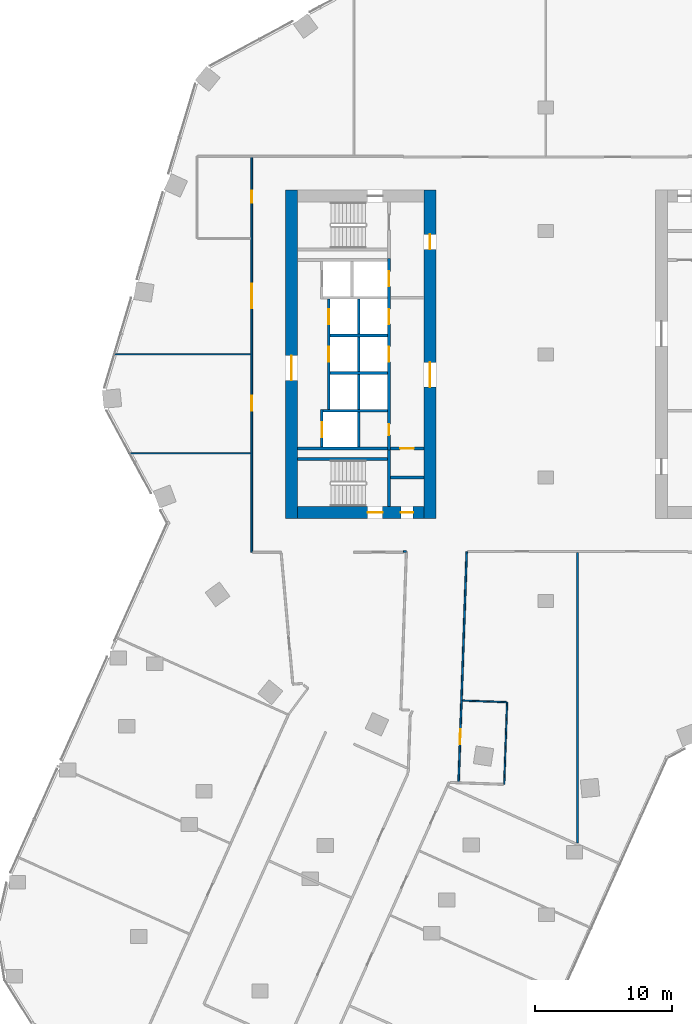
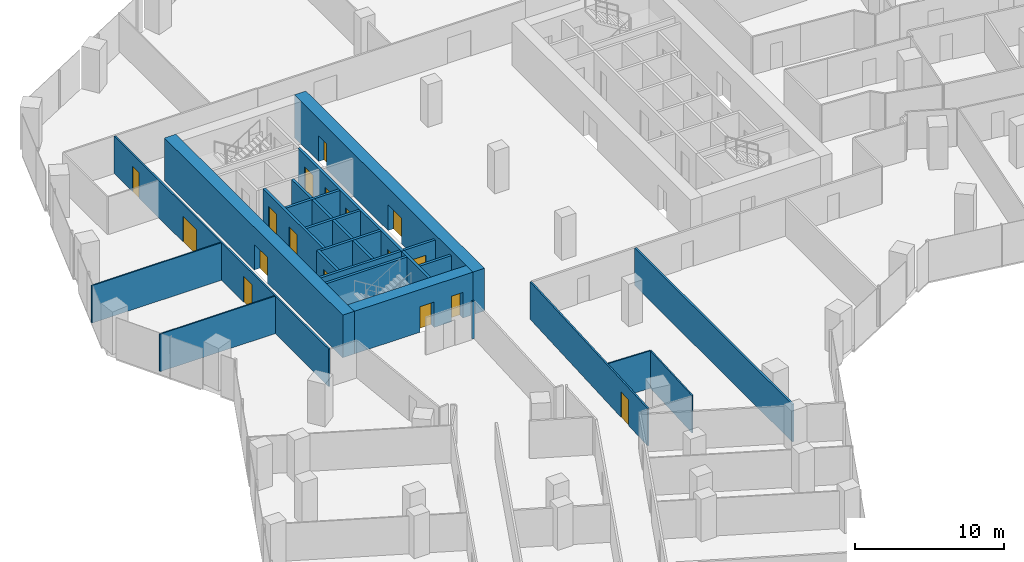
# One storey, part 26 of 34: 26 walls, 17 doors, 17 openings.
"""IFC4 building model written with IfcOpenShell, lengths in metres."""

from ifc_helpers import new_model, si_unit, direction, frame, frame_2d, origin, place, context, subcontext, project, spatial, rectangle, extrude, material, layer, layer_set, type_object, element, fill, save


model = new_model("IFC4")

# Units and contexts
model_context = context("Model", 3, precision=1e-05, world=origin(), true_north=direction((0.0, 1.0)))
body_context = subcontext(model_context, "Body", "Model", "MODEL_VIEW")
ifc_project = project(units=[si_unit("LENGTHUNIT", "METRE"), si_unit("AREAUNIT", "SQUARE_METRE"), si_unit("VOLUMEUNIT", "CUBIC_METRE"), si_unit("PLANEANGLEUNIT", "RADIAN"), si_unit("MASSUNIT", "GRAM", prefix="KILO")], contexts=[model_context])

# Site, building, storey
site_placement = place(None, origin())
site = spatial("IfcSite", under=ifc_project, at=site_placement, CompositionType="ELEMENT")
building_placement = place(site_placement, origin())
building = spatial("IfcBuilding", under=site, at=building_placement, Name="Orlundy Tower", CompositionType="ELEMENT")
storey_placement = place(building_placement, frame((0.0, 0.0, 127.199951171875)))
storey = spatial("IfcBuildingStorey", under=building, at=storey_placement, Name="L32", CompositionType="ELEMENT", Elevation=127.199951171875)

# Wall, openings, doors
ifc_material_1 = material(Name="Concrete C80/95", Category="concrete")
ifc_layer_1 = layer(ifc_material_1, 0.89990234375)
ifc_layer_set_1 = layer_set([ifc_layer_1], Name="CORE WALL 900 C80/95")
wall_type_1 = type_object("IfcWallType", Name="CORE WALL 900 C80/95", PredefinedType="SHEAR", material=ifc_layer_set_1)
wall_1_placement = place(storey_placement, frame((-18.10009765625, -11.550048828125, 0.0), z_axis=(0.0, 0.0, 1.0), x_axis=(1.0, 0.0, 0.0)))
wall_1 = element("IfcWall", 1, at=wall_1_placement, inside=storey, type_object=wall_type_1, Name="Core wall W-S L32", PredefinedType="SHEAR", context=body_context, shape_type="SweptSolid", body=[
    extrude(rectangle(XDim=9.2001953125, YDim=0.89990234375, at=frame_2d((4.60009765625, 0.0))), origin(), (0.0, 0.0, 1.0), 3.5),
])
opening_1_placement = place(wall_1_placement, frame((5.10009765625, 0.0, 0.0)))
opening_1 = element("IfcOpeningElement", 2, at=opening_1_placement, cuts=wall_1, Name="Opening 25013", PredefinedType="OPENING", context=body_context, shape_type="SweptSolid", body=[
    extrude(rectangle(XDim=1.10009765625, YDim=2.10009765625, at=frame_2d((0.550048828125, 1.050048828125))), frame((0.0, 0.4599609375, 0.0), z_axis=(0.0, -1.0, 0.0), x_axis=(1.0, 0.0, 0.0)), (0.0, 0.0, 1.0), 0.919921875),
])
opening_2_placement = place(wall_1_placement, frame((7.530029296875, 0.0, 0.0)))
opening_2 = element("IfcOpeningElement", 3, at=opening_2_placement, cuts=wall_1, Name="Opening 25015", PredefinedType="OPENING", context=body_context, shape_type="SweptSolid", body=[
    extrude(rectangle(XDim=0.89990234375, YDim=2.10009765625, at=frame_2d((0.449951171875, 1.050048828125))), frame((0.0, 0.4599609375, 0.0), z_axis=(0.0, -1.0, 0.0), x_axis=(1.0, 0.0, 0.0)), (0.0, 0.0, 1.0), 0.919921875),
])
ifc_material_2 = material(Name="Timber door set", Category="wood")
door_type_1 = type_object("IfcDoorType", Name="Room Door 900x2100", OperationType="SINGLE_SWING_LEFT", PredefinedType="DOOR", material=ifc_material_2)
door_1_placement = place(opening_2_placement, origin())
door_1 = element("IfcDoor", 4, at=door_1_placement, inside=storey, type_object=door_type_1, Name="Store door 25015", OperationType="SINGLE_SWING_RIGHT", OverallHeight=2.10009765625, OverallWidth=0.89990234375, PredefinedType="DOOR", context=body_context, shape_type="SweptSolid", body=[
    extrude(rectangle(XDim=0.89990234375, YDim=2.10009765625, at=frame_2d((0.449951171875, 1.050048828125))), frame((0.0, 0.02490234375, 0.0), z_axis=(0.0, -1.0, 0.0), x_axis=(1.0, 0.0, 0.0)), (0.0, 0.0, 1.0), 0.050048828125),
])
fill(opening_2, door_1)
ifc_material_3 = material(Name="Steel door set", Category="steel")
door_type_2 = type_object("IfcDoorType", Name="Stair Door 1100x2100", OperationType="SINGLE_SWING_LEFT", PredefinedType="DOOR", material=ifc_material_3)
door_2_placement = place(opening_1_placement, origin())
door_2 = element("IfcDoor", 5, at=door_2_placement, inside=storey, type_object=door_type_2, Name="Stair door 25013", OperationType="SINGLE_SWING_RIGHT", OverallHeight=2.10009765625, OverallWidth=1.10009765625, PredefinedType="DOOR", context=body_context, shape_type="SweptSolid", body=[
    extrude(rectangle(XDim=1.10009765625, YDim=2.10009765625, at=frame_2d((0.550048828125, 1.050048828125))), frame((0.0, 0.02490234375, 0.0), z_axis=(0.0, -1.0, 0.0), x_axis=(1.0, 0.0, 0.0)), (0.0, 0.0, 1.0), 0.050048828125),
])
fill(opening_1, door_2)

# Wall, opening, door
wall_2_placement = place(storey_placement, frame((-18.550048828125, -12.0, 0.0), z_axis=(0.0, 0.0, 1.0), x_axis=(0.0, 1.0, 0.0)))
wall_2 = element("IfcWall", 6, at=wall_2_placement, inside=storey, type_object=wall_type_1, Name="Core wall W-W L32", PredefinedType="SHEAR", context=body_context, shape_type="SweptSolid", body=[
    extrude(rectangle(XDim=24.0, YDim=0.89990234375, at=frame_2d((12.0, 0.0))), origin(), (0.0, 0.0, 1.0), 3.5),
])
opening_3_placement = place(wall_2_placement, frame((10.10009765625, 0.0, 0.0)))
opening_3 = element("IfcOpeningElement", 7, at=opening_3_placement, cuts=wall_2, Name="Opening 25010", PredefinedType="OPENING", context=body_context, shape_type="SweptSolid", body=[
    extrude(rectangle(XDim=1.800048828125, YDim=2.10009765625, at=frame_2d((0.89990234375, 1.050048828125))), frame((0.0, 0.4599609375, 0.0), z_axis=(0.0, -1.0, 0.0), x_axis=(1.0, 0.0, 0.0)), (0.0, 0.0, 1.0), 0.919921875),
])
ifc_material_4 = material(Name="Timber door set", Category="wood")
door_type_3 = type_object("IfcDoorType", Name="Lobby Door 1800x2100", OperationType="DOUBLE_DOOR_DOUBLE_SWING", PredefinedType="DOOR", material=ifc_material_4)
door_3_placement = place(opening_3_placement, origin())
door_3 = element("IfcDoor", 8, at=door_3_placement, inside=storey, type_object=door_type_3, Name="Lift lobby door 25010", OperationType="SINGLE_SWING_LEFT", OverallHeight=2.10009765625, OverallWidth=1.800048828125, PredefinedType="DOOR", context=body_context, shape_type="SweptSolid", body=[
    extrude(rectangle(XDim=1.800048828125, YDim=2.10009765625, at=frame_2d((0.89990234375, 1.050048828125))), frame((0.0, 0.02490234375, 0.0), z_axis=(0.0, -1.0, 0.0), x_axis=(1.0, 0.0, 0.0)), (0.0, 0.0, 1.0), 0.050048828125),
])
fill(opening_3, door_3)

# Wall, openings, doors
wall_3_placement = place(storey_placement, frame((-8.449951171875, -12.0, 0.0), z_axis=(0.0, 0.0, 1.0), x_axis=(0.0, 1.0, 0.0)))
wall_3 = element("IfcWall", 9, at=wall_3_placement, inside=storey, type_object=wall_type_1, Name="Core wall W-E L32", PredefinedType="SHEAR", context=body_context, shape_type="SweptSolid", body=[
    extrude(rectangle(XDim=24.0, YDim=0.89990234375, at=frame_2d((12.0, 0.0))), origin(), (0.0, 0.0, 1.0), 3.5),
])
opening_4_placement = place(wall_3_placement, frame((9.60009765625, 0.0, 0.0)))
opening_4 = element("IfcOpeningElement", 10, at=opening_4_placement, cuts=wall_3, Name="Opening 25009", PredefinedType="OPENING", context=body_context, shape_type="SweptSolid", body=[
    extrude(rectangle(XDim=1.800048828125, YDim=2.10009765625, at=frame_2d((0.89990234375, 1.050048828125))), frame((0.0, 0.4599609375, 0.0), z_axis=(0.0, -1.0, 0.0), x_axis=(1.0, 0.0, 0.0)), (0.0, 0.0, 1.0), 0.919921875),
])
opening_5_placement = place(wall_3_placement, frame((19.64990234375, 0.0, 0.0)))
opening_5 = element("IfcOpeningElement", 11, at=opening_5_placement, cuts=wall_3, Name="Opening 25011", PredefinedType="OPENING", context=body_context, shape_type="SweptSolid", body=[
    extrude(rectangle(XDim=1.10009765625, YDim=2.10009765625, at=frame_2d((0.550048828125, 1.050048828125))), frame((0.0, 0.4599609375, 0.0), z_axis=(0.0, -1.0, 0.0), x_axis=(1.0, 0.0, 0.0)), (0.0, 0.0, 1.0), 0.919921875),
])
ifc_material_5 = material(Name="Steel door set", Category="steel")
door_type_4 = type_object("IfcDoorType", Name="Fire-fighting Lobby Door 1100x2100", OperationType="SINGLE_SWING_LEFT", PredefinedType="DOOR", material=ifc_material_5)
door_4_placement = place(opening_5_placement, origin())
door_4 = element("IfcDoor", 12, at=door_4_placement, inside=storey, type_object=door_type_4, Name="Fire-fighting lobby door 25011", OperationType="SINGLE_SWING_RIGHT", OverallHeight=2.10009765625, OverallWidth=1.10009765625, PredefinedType="DOOR", context=body_context, shape_type="SweptSolid", body=[
    extrude(rectangle(XDim=1.10009765625, YDim=2.10009765625, at=frame_2d((0.550048828125, 1.050048828125))), frame((0.0, 0.02490234375, 0.0), z_axis=(0.0, -1.0, 0.0), x_axis=(1.0, 0.0, 0.0)), (0.0, 0.0, 1.0), 0.050048828125),
])
fill(opening_5, door_4)
door_5_placement = place(opening_4_placement, origin())
door_5 = element("IfcDoor", 13, at=door_5_placement, inside=storey, type_object=door_type_3, Name="Lift lobby door 25009", OperationType="SINGLE_SWING_LEFT", OverallHeight=2.10009765625, OverallWidth=1.800048828125, PredefinedType="DOOR", context=body_context, shape_type="SweptSolid", body=[
    extrude(rectangle(XDim=1.800048828125, YDim=2.10009765625, at=frame_2d((0.89990234375, 1.050048828125))), frame((0.0, 0.02490234375, 0.0), z_axis=(0.0, -1.0, 0.0), x_axis=(1.0, 0.0, 0.0)), (0.0, 0.0, 1.0), 0.050048828125),
])
fill(opening_4, door_5)

# Walls
ifc_material_6 = material(Name="Gypsum board partition")
ifc_layer_2 = layer(ifc_material_6, 0.10009765625)
ifc_layer_set_2 = layer_set([ifc_layer_2], Name="Floor partition 100")
wall_type_2 = type_object("IfcWallType", Name="Floor partition 100", PredefinedType="PARTITIONING", material=ifc_layer_set_2)
wall_4_placement = place(storey_placement, frame((-6.087890625, -25.27587890625, 0.0), z_axis=(0.0, 0.0, 1.0), x_axis=(0.999383173756, -0.035117972788, 0.0)))
element("IfcWall", 14, at=wall_4_placement, inside=storey, type_object=wall_type_2, Name="wall-int-L32-032", PredefinedType="PARTITIONING", context=body_context, shape_type="SweptSolid", body=[
    extrude(rectangle(XDim=3.21875, YDim=0.10009765625, at=frame_2d((1.609375, 0.0))), origin(), (0.0, 0.0, 1.0), 3.080078125),
])
wall_5_placement = place(storey_placement, frame((-30.471923828125, -7.22412109375, 0.0), z_axis=(0.0, 0.0, 1.0), x_axis=(1.0, 0.0, 0.0)))
element("IfcWall", 15, at=wall_5_placement, inside=storey, type_object=wall_type_2, Name="wall-int-L32-038", PredefinedType="PARTITIONING", context=body_context, shape_type="SweptSolid", body=[
    extrude(rectangle(XDim=8.9599609375, YDim=0.10009765625, at=frame_2d((4.47998046875, 0.0))), origin(), (0.0, 0.0, 1.0), 3.080078125),
])
wall_6_placement = place(storey_placement, frame((-31.576904296875, 0.0, 0.0), z_axis=(0.0, 0.0, 1.0), x_axis=(1.0, 0.0, 0.0)))
element("IfcWall", 16, at=wall_6_placement, inside=storey, type_object=wall_type_2, Name="wall-int-L32-039", PredefinedType="PARTITIONING", context=body_context, shape_type="SweptSolid", body=[
    extrude(rectangle(XDim=10.06494140625, YDim=0.10009765625, at=frame_2d((5.032470703125, 0.0))), origin(), (0.0, 0.0, 1.0), 3.080078125),
])
wall_7_placement = place(storey_placement, frame((-3.031005859375, -31.387939453125, 0.0), z_axis=(0.0, 0.0, 1.0), x_axis=(0.035158834676, 0.999381737048, 0.0)))
element("IfcWall", 17, at=wall_7_placement, inside=storey, type_object=wall_type_2, Name="wall-int-L32-072", PredefinedType="PARTITIONING", context=body_context, shape_type="SweptSolid", body=[
    extrude(rectangle(XDim=5.99951171875, YDim=0.10009765625, at=frame_2d((2.999755859375, 0.0))), origin(), (0.0, 0.0, 1.0), 3.080078125),
])
ifc_material_7 = material(Name="Gypsum board partition, double layer")
ifc_layer_3 = layer(ifc_material_7, 0.125)
ifc_layer_set_3 = layer_set([ifc_layer_3], Name="Floor partition 125")
wall_type_3 = type_object("IfcWallType", Name="Floor partition 125", PredefinedType="PARTITIONING", material=ifc_layer_set_3)
wall_8_placement = place(storey_placement, frame((-10.389892578125, -14.40087890625, 0.0), z_axis=(0.0, 0.0, 1.0), x_axis=(1.0, 0.0, 0.0)))
element("IfcWall", 18, at=wall_8_placement, inside=storey, type_object=wall_type_3, Name="wall-int-L32-036", PredefinedType="PARTITIONING", context=body_context, shape_type="SweptSolid", body=[
    extrude(rectangle(XDim=0.218994140625, YDim=0.125, at=frame_2d((0.109375, 0.0))), origin(), (0.0, 0.0, 1.0), 3.080078125),
])

# Wall, opening, door
wall_9_placement = place(storey_placement, frame((-5.76806640625, -14.40087890625, 0.0), z_axis=(0.0, 0.0, 1.0), x_axis=(-0.035129220635, -0.999382778448, 0.0)))
wall_9 = element("IfcWall", 19, at=wall_9_placement, inside=storey, type_object=wall_type_3, Name="wall-int-L32-073", PredefinedType="PARTITIONING", context=body_context, shape_type="SweptSolid", body=[
    extrude(rectangle(XDim=16.818603515625, YDim=0.125, at=frame_2d((8.4091796875, 0.0))), origin(), (0.0, 0.0, 1.0), 3.080078125),
])
opening_6_placement = place(wall_9_placement, frame((12.980712890625, 0.0, 0.0)))
opening_6 = element("IfcOpeningElement", 20, at=opening_6_placement, cuts=wall_9, Name="Opening 25133", PredefinedType="OPENING", context=body_context, shape_type="SweptSolid", body=[
    extrude(rectangle(XDim=1.10009765625, YDim=2.10009765625, at=frame_2d((0.550048828125, 1.050048828125))), frame((0.0, 0.072509765625, 0.0), z_axis=(0.0, -1.0, 0.0), x_axis=(1.0, 0.0, 0.0)), (0.0, 0.0, 1.0), 0.14501953125),
])
ifc_material_8 = material(Name="Timber door leaf", Category="wood")
door_type_5 = type_object("IfcDoorType", Name="Floor door xwide 1100 FD30S", OperationType="NOTDEFINED", PredefinedType="DOOR", material=ifc_material_8)
door_6_placement = place(opening_6_placement, origin())
door_6 = element("IfcDoor", 21, at=door_6_placement, inside=storey, type_object=door_type_5, Name="Door 25133", OperationType="SINGLE_SWING_RIGHT", OverallHeight=2.10009765625, OverallWidth=1.10009765625, PredefinedType="DOOR", context=body_context, shape_type="SweptSolid", body=[
    extrude(rectangle(XDim=1.10009765625, YDim=2.10009765625, at=frame_2d((0.550048828125, 1.050048828125))), frame((0.0, 0.02490234375, 0.0), z_axis=(0.0, -1.0, 0.0), x_axis=(1.0, 0.0, 0.0)), (0.0, 0.0, 1.0), 0.050048828125),
])
fill(opening_6, door_6)

# Wall, openings, doors
wall_10_placement = place(storey_placement, frame((-21.449951171875, -14.450927734375, 0.0), z_axis=(0.0, 0.0, 1.0), x_axis=(0.0, 1.0, 0.0)))
wall_10 = element("IfcWall", 22, at=wall_10_placement, inside=storey, type_object=wall_type_3, Name="wall-int-L32-085", PredefinedType="PARTITIONING", context=body_context, shape_type="SweptSolid", body=[
    extrude(rectangle(XDim=28.8369140625, YDim=0.125, at=frame_2d((14.41845703125, 0.0))), origin(), (0.0, 0.0, 1.0), 3.080078125),
])
opening_7_placement = place(wall_10_placement, frame((10.326904296875, 0.0, 0.0)))
opening_7 = element("IfcOpeningElement", 23, at=opening_7_placement, cuts=wall_10, Name="Opening 25120", PredefinedType="OPENING", context=body_context, shape_type="SweptSolid", body=[
    extrude(rectangle(XDim=1.10009765625, YDim=2.10009765625, at=frame_2d((0.550048828125, 1.050048828125))), frame((0.0, 0.072509765625, 0.0), z_axis=(0.0, -1.0, 0.0), x_axis=(1.0, 0.0, 0.0)), (0.0, 0.0, 1.0), 0.14501953125),
])
opening_8_placement = place(wall_10_placement, frame((17.801025390625, 0.0, 0.0)))
opening_8 = element("IfcOpeningElement", 24, at=opening_8_placement, cuts=wall_10, Name="Opening 25131", PredefinedType="OPENING", context=body_context, shape_type="SweptSolid", body=[
    extrude(rectangle(XDim=1.800048828125, YDim=2.10009765625, at=frame_2d((0.89990234375, 1.050048828125))), frame((0.0, 0.072509765625, 0.0), z_axis=(0.0, -1.0, 0.0), x_axis=(1.0, 0.0, 0.0)), (0.0, 0.0, 1.0), 0.14501953125),
])
opening_9_placement = place(wall_10_placement, frame((25.5, 0.0, 0.0)))
opening_9 = element("IfcOpeningElement", 25, at=opening_9_placement, cuts=wall_10, Name="Opening 25132", PredefinedType="OPENING", context=body_context, shape_type="SweptSolid", body=[
    extrude(rectangle(XDim=0.89990234375, YDim=2.10009765625, at=frame_2d((0.449951171875, 1.050048828125))), frame((0.0, 0.072509765625, 0.0), z_axis=(0.0, -1.0, 0.0), x_axis=(1.0, 0.0, 0.0)), (0.0, 0.0, 1.0), 0.14501953125),
])
ifc_material_9 = material(Name="Timber door leaf", Category="wood")
door_type_6 = type_object("IfcDoorType", Name="Floor door double 1800 FD30S", OperationType="NOTDEFINED", PredefinedType="DOOR", material=ifc_material_9)
door_7_placement = place(opening_8_placement, origin())
door_7 = element("IfcDoor", 26, at=door_7_placement, inside=storey, type_object=door_type_6, Name="Door 25131", OperationType="DOUBLE_DOOR_SINGLE_SWING", OverallHeight=2.10009765625, OverallWidth=1.800048828125, PredefinedType="DOOR", context=body_context, shape_type="SweptSolid", body=[
    extrude(rectangle(XDim=1.800048828125, YDim=2.10009765625, at=frame_2d((0.89990234375, 1.050048828125))), frame((0.0, 0.02490234375, 0.0), z_axis=(0.0, -1.0, 0.0), x_axis=(1.0, 0.0, 0.0)), (0.0, 0.0, 1.0), 0.050048828125),
])
fill(opening_8, door_7)
ifc_material_10 = material(Name="Timber door leaf", Category="wood")
door_type_7 = type_object("IfcDoorType", Name="Floor door single 900 FD30S", OperationType="NOTDEFINED", PredefinedType="DOOR", material=ifc_material_10)
door_8_placement = place(opening_9_placement, origin())
door_8 = element("IfcDoor", 27, at=door_8_placement, inside=storey, type_object=door_type_7, Name="Door 25132", OperationType="SINGLE_SWING_RIGHT", OverallHeight=2.10009765625, OverallWidth=0.89990234375, PredefinedType="DOOR", context=body_context, shape_type="SweptSolid", body=[
    extrude(rectangle(XDim=0.89990234375, YDim=2.10009765625, at=frame_2d((0.449951171875, 1.050048828125))), frame((0.0, 0.02490234375, 0.0), z_axis=(0.0, -1.0, 0.0), x_axis=(1.0, 0.0, 0.0)), (0.0, 0.0, 1.0), 0.050048828125),
])
fill(opening_9, door_8)
door_9_placement = place(opening_7_placement, origin())
door_9 = element("IfcDoor", 28, at=door_9_placement, inside=storey, type_object=door_type_5, Name="Door 25120", OperationType="SINGLE_SWING_LEFT", OverallHeight=2.10009765625, OverallWidth=1.10009765625, PredefinedType="DOOR", context=body_context, shape_type="SweptSolid", body=[
    extrude(rectangle(XDim=1.10009765625, YDim=2.10009765625, at=frame_2d((0.550048828125, 1.050048828125))), frame((0.0, 0.02490234375, 0.0), z_axis=(0.0, -1.0, 0.0), x_axis=(1.0, 0.0, 0.0)), (0.0, 0.0, 1.0), 0.050048828125),
])
fill(opening_7, door_9)

# Walls
ifc_material_11 = material(Name="Blockwork shaft wall", Category="masonry")
ifc_layer_4 = layer(ifc_material_11, 0.14990234375)
ifc_layer_set_4 = layer_set([ifc_layer_4], Name="Floor shaft wall 150")
wall_type_4 = type_object("IfcWallType", Name="Floor shaft wall 150", PredefinedType="PARTITIONING", material=ifc_layer_set_4)
wall_11_placement = place(storey_placement, frame((2.31103515625, -35.658935546875, 0.0), z_axis=(0.0, 0.0, 1.0), x_axis=(0.0, 1.0, 0.0)))
element("IfcWall", 29, at=wall_11_placement, inside=storey, type_object=wall_type_4, Name="wall-int-L32-082", PredefinedType="PARTITIONING", context=body_context, shape_type="SweptSolid", body=[
    extrude(rectangle(XDim=21.182861328125, YDim=0.14990234375, at=frame_2d((10.59130859375, 0.0))), origin(), (0.0, 0.0, 1.0), 3.080078125),
])
ifc_material_12 = material(Name="Concrete C40/50", Category="concrete")
ifc_layer_5 = layer(ifc_material_12, 0.199951171875)
ifc_layer_set_5 = layer_set([ifc_layer_5], Name="Load-bearing Shaft Wall 200")
wall_type_5 = type_object("IfcWallType", Name="Load-bearing Shaft Wall 200", PredefinedType="SOLIDWALL", material=ifc_layer_set_5)
wall_12_placement = place(storey_placement, frame((-11.43994140625, -11.10009765625, 0.0), z_axis=(0.0, 0.0, 1.0), x_axis=(0.0, 1.0, 0.0)))
element("IfcWall", 30, at=wall_12_placement, inside=storey, type_object=wall_type_5, Name="Shaft wall W25-stair-end-s", PredefinedType="SOLIDWALL", context=body_context, shape_type="SweptSolid", body=[
    extrude(rectangle(XDim=4.125, YDim=0.199951171875, at=frame_2d((2.0625, 0.0))), origin(), (0.0, 0.0, 1.0), 3.090087890625),
])
wall_13_placement = place(storey_placement, frame((-11.5400390625, -7.64990234375, 0.0), z_axis=(0.0, 0.0, 1.0), x_axis=(-1.0, 0.0, 0.0)))
element("IfcWall", 31, at=wall_13_placement, inside=storey, type_object=wall_type_5, Name="Shaft wall W25-stair-side-s", PredefinedType="SOLIDWALL", context=body_context, shape_type="SweptSolid", body=[
    extrude(rectangle(XDim=6.56005859375, YDim=0.199951171875, at=frame_2d((3.280029296875, 0.0))), origin(), (0.0, 0.0, 1.0), 3.090087890625),
])

# Wall, opening, door
ifc_material_13 = material(Name="Gypsum board partition on steel studs", Category="steel")
ifc_layer_6 = layer(ifc_material_13, 0.199951171875)
ifc_layer_set_6 = layer_set([ifc_layer_6], Name="Partition 200")
wall_type_6 = type_object("IfcWallType", Name="Partition 200", PredefinedType="PARTITIONING", material=ifc_layer_set_6)
wall_14_placement = place(storey_placement, frame((-8.89990234375, -6.875, 0.0), z_axis=(0.0, 0.0, 1.0), x_axis=(-1.0, 0.0, 0.0)))
wall_14 = element("IfcWall", 32, at=wall_14_placement, inside=storey, type_object=wall_type_6, Name="Partition wall W25-end-s", PredefinedType="PARTITIONING", context=body_context, shape_type="SweptSolid", body=[
    extrude(rectangle(XDim=2.440185546875, YDim=0.199951171875, at=frame_2d((1.22021484375, 0.0))), origin(), (0.0, 0.0, 1.0), 3.090087890625),
])
opening_10_placement = place(wall_14_placement, frame((0.719970703125, 0.0, 0.0)))
opening_10 = element("IfcOpeningElement", 33, at=opening_10_placement, cuts=wall_14, Name="Opening 25016", PredefinedType="OPENING", context=body_context, shape_type="SweptSolid", body=[
    extrude(rectangle(XDim=1.0, YDim=2.10009765625, at=frame_2d((0.5, 1.050048828125))), frame((0.0, 0.110107421875, 0.0), z_axis=(0.0, -1.0, 0.0), x_axis=(1.0, 0.0, 0.0)), (0.0, 0.0, 1.0), 0.22021484375),
])
ifc_material_14 = material(Name="Timber door set", Category="wood")
door_type_8 = type_object("IfcDoorType", Name="Accessible Door 1000x2100", OperationType="SINGLE_SWING_LEFT", PredefinedType="DOOR", material=ifc_material_14)
door_10_placement = place(opening_10_placement, origin())
door_10 = element("IfcDoor", 34, at=door_10_placement, inside=storey, type_object=door_type_8, Name="Accessible WC door 25016", OperationType="SINGLE_SWING_RIGHT", OverallHeight=2.10009765625, OverallWidth=1.0, PredefinedType="DOOR", context=body_context, shape_type="SweptSolid", body=[
    extrude(rectangle(XDim=1.0, YDim=2.10009765625, at=frame_2d((0.5, 1.050048828125))), frame((0.0, 0.02490234375, 0.0), z_axis=(0.0, -1.0, 0.0), x_axis=(1.0, 0.0, 0.0)), (0.0, 0.0, 1.0), 0.050048828125),
])
fill(opening_10, door_10)

# Walls
wall_15_placement = place(storey_placement, frame((-8.89990234375, -9.0, 0.0), z_axis=(0.0, 0.0, 1.0), x_axis=(-1.0, 0.0, 0.0)))
element("IfcWall", 35, at=wall_15_placement, inside=storey, type_object=wall_type_6, Name="Partition wall W25-room-s0", PredefinedType="PARTITIONING", context=body_context, shape_type="SweptSolid", body=[
    extrude(rectangle(XDim=2.440185546875, YDim=0.199951171875, at=frame_2d((1.22021484375, 0.0))), origin(), (0.0, 0.0, 1.0), 3.090087890625),
])
ifc_material_15 = material(Name="Fire-rated blockwork shaft wall", Category="masonry")
ifc_layer_7 = layer(ifc_material_15, 0.199951171875)
ifc_layer_set_7 = layer_set([ifc_layer_7], Name="Shaft Wall 200")
wall_type_7 = type_object("IfcWallType", Name="Shaft Wall 200", PredefinedType="SOLIDWALL", material=ifc_layer_set_7)
wall_16_placement = place(storey_placement, frame((-11.5400390625, -6.875, 0.0), z_axis=(0.0, 0.0, 1.0), x_axis=(-1.0, 0.0, 0.0)))
element("IfcWall", 36, at=wall_16_placement, inside=storey, type_object=wall_type_7, Name="Shaft wall W25-zone-s", PredefinedType="SOLIDWALL", context=body_context, shape_type="SweptSolid", body=[
    extrude(rectangle(XDim=6.56005859375, YDim=0.199951171875, at=frame_2d((3.280029296875, 0.0))), origin(), (0.0, 0.0, 1.0), 3.090087890625),
])
wall_17_placement = place(storey_placement, frame((-11.5400390625, -4.125, 0.0), z_axis=(0.0, 0.0, 1.0), x_axis=(-1.0, 0.0, 0.0)))
element("IfcWall", 37, at=wall_17_placement, inside=storey, type_object=wall_type_7, Name="Shaft wall W25-cross-4.125", PredefinedType="SOLIDWALL", context=body_context, shape_type="SweptSolid", body=[
    extrude(rectangle(XDim=4.699951171875, YDim=0.199951171875, at=frame_2d((2.35009765625, 0.0))), origin(), (0.0, 0.0, 1.0), 3.090087890625),
])
for number, where, z_axis, x_axis, name in (
    (38, (-11.5400390625, -1.375, 0.0), (0.0, 0.0, 1.0), (-1.0, 0.0, 0.0), "Shaft wall W25-cross-1.375"),
    (39, (-11.5400390625, 1.375, 0.0), (0.0, 0.0, 1.0), (-1.0, 0.0, 0.0), "Shaft wall W25-cross+1.375"),
):
    element("IfcWall", number, at=place(storey_placement, frame(where, z_axis=z_axis, x_axis=x_axis)), inside=storey, type_object=wall_type_7, Name=name, PredefinedType="SOLIDWALL", context=body_context, shape_type="SweptSolid", body=[
        extrude(rectangle(XDim=4.199951171875, YDim=0.199951171875, at=frame_2d((2.10009765625, 0.0))), origin(), (0.0, 0.0, 1.0), 3.090087890625),
    ])

# Wall, openings, doors
wall_18_placement = place(storey_placement, frame((-11.43994140625, -6.97509765625, 0.0), z_axis=(0.0, 0.0, 1.0), x_axis=(0.0, 1.0, 0.0)))
wall_18 = element("IfcWall", 40, at=wall_18_placement, inside=storey, type_object=wall_type_7, Name="Shaft wall W25-front-h", PredefinedType="SOLIDWALL", context=body_context, shape_type="SweptSolid", body=[
    extrude(rectangle(XDim=13.9501953125, YDim=0.199951171875, at=frame_2d((6.97509765625, 0.0))), origin(), (0.0, 0.0, 1.0), 3.090087890625),
])
opening_11_placement = place(wall_18_placement, frame((6.425048828125, 0.0, 0.0)))
opening_11 = element("IfcOpeningElement", 41, at=opening_11_placement, cuts=wall_18, Name="Opening 25002", PredefinedType="OPENING", context=body_context, shape_type="SweptSolid", body=[
    extrude(rectangle(XDim=1.10009765625, YDim=2.10009765625, at=frame_2d((0.550048828125, 1.050048828125))), frame((0.0, 0.110107421875, 0.0), z_axis=(0.0, -1.0, 0.0), x_axis=(1.0, 0.0, 0.0)), (0.0, 0.0, 1.0), 0.22021484375),
])
opening_12_placement = place(wall_18_placement, frame((9.175048828125, 0.0, 0.0)))
opening_12 = element("IfcOpeningElement", 42, at=opening_12_placement, cuts=wall_18, Name="Opening 25004", PredefinedType="OPENING", context=body_context, shape_type="SweptSolid", body=[
    extrude(rectangle(XDim=1.10009765625, YDim=2.10009765625, at=frame_2d((0.550048828125, 1.050048828125))), frame((0.0, 0.110107421875, 0.0), z_axis=(0.0, -1.0, 0.0), x_axis=(1.0, 0.0, 0.0)), (0.0, 0.0, 1.0), 0.22021484375),
])
opening_13_placement = place(wall_18_placement, frame((11.925048828125, 0.0, 0.0)))
opening_13 = element("IfcOpeningElement", 43, at=opening_13_placement, cuts=wall_18, Name="Opening 25006", PredefinedType="OPENING", context=body_context, shape_type="SweptSolid", body=[
    extrude(rectangle(XDim=1.10009765625, YDim=2.10009765625, at=frame_2d((0.550048828125, 1.050048828125))), frame((0.0, 0.110107421875, 0.0), z_axis=(0.0, -1.0, 0.0), x_axis=(1.0, 0.0, 0.0)), (0.0, 0.0, 1.0), 0.22021484375),
])
opening_14_placement = place(wall_18_placement, frame((1.074951171875, 0.0, 0.0)))
opening_14 = element("IfcOpeningElement", 44, at=opening_14_placement, cuts=wall_18, Name="Opening 25008", PredefinedType="OPENING", context=body_context, shape_type="SweptSolid", body=[
    extrude(rectangle(XDim=0.800048828125, YDim=2.10009765625, at=frame_2d((0.39990234375, 1.050048828125))), frame((0.0, 0.110107421875, 0.0), z_axis=(0.0, -1.0, 0.0), x_axis=(1.0, 0.0, 0.0)), (0.0, 0.0, 1.0), 0.22021484375),
])
ifc_material_16 = material(Name="Steel door set", Category="steel")
door_type_9 = type_object("IfcDoorType", Name="Landing Door 1100x2100", OperationType="DOUBLE_DOOR_SLIDING", PredefinedType="DOOR", material=ifc_material_16)
door_11_placement = place(opening_11_placement, origin())
door_11 = element("IfcDoor", 45, at=door_11_placement, inside=storey, type_object=door_type_9, Name="Lift landing door LP-05 25002", OperationType="DOUBLE_DOOR_SLIDING", OverallHeight=2.10009765625, OverallWidth=1.10009765625, PredefinedType="DOOR", context=body_context, shape_type="SweptSolid", body=[
    extrude(rectangle(XDim=1.10009765625, YDim=2.10009765625, at=frame_2d((0.550048828125, 1.050048828125))), frame((0.0, 0.02490234375, 0.0), z_axis=(0.0, -1.0, 0.0), x_axis=(1.0, 0.0, 0.0)), (0.0, 0.0, 1.0), 0.050048828125),
])
fill(opening_11, door_11)
door_12_placement = place(opening_12_placement, origin())
door_12 = element("IfcDoor", 46, at=door_12_placement, inside=storey, type_object=door_type_9, Name="Lift landing door LP-02 25004", OperationType="DOUBLE_DOOR_SLIDING", OverallHeight=2.10009765625, OverallWidth=1.10009765625, PredefinedType="DOOR", context=body_context, shape_type="SweptSolid", body=[
    extrude(rectangle(XDim=1.10009765625, YDim=2.10009765625, at=frame_2d((0.550048828125, 1.050048828125))), frame((0.0, 0.02490234375, 0.0), z_axis=(0.0, -1.0, 0.0), x_axis=(1.0, 0.0, 0.0)), (0.0, 0.0, 1.0), 0.050048828125),
])
fill(opening_12, door_12)
door_13_placement = place(opening_13_placement, origin())
door_13 = element("IfcDoor", 47, at=door_13_placement, inside=storey, type_object=door_type_9, Name="Lift landing door FL1 25006", OperationType="DOUBLE_DOOR_SLIDING", OverallHeight=2.10009765625, OverallWidth=1.10009765625, PredefinedType="DOOR", context=body_context, shape_type="SweptSolid", body=[
    extrude(rectangle(XDim=1.10009765625, YDim=2.10009765625, at=frame_2d((0.550048828125, 1.050048828125))), frame((0.0, 0.02490234375, 0.0), z_axis=(0.0, -1.0, 0.0), x_axis=(1.0, 0.0, 0.0)), (0.0, 0.0, 1.0), 0.050048828125),
])
fill(opening_13, door_13)
ifc_material_17 = material(Name="Timber door set", Category="wood")
door_type_10 = type_object("IfcDoorType", Name="Riser Door 800x2100", OperationType="SINGLE_SWING_LEFT", PredefinedType="DOOR", material=ifc_material_17)
door_14_placement = place(opening_14_placement, origin())
door_14 = element("IfcDoor", 48, at=door_14_placement, inside=storey, type_object=door_type_10, Name="Pantry Store door 25008", OperationType="SINGLE_SWING_LEFT", OverallHeight=2.10009765625, OverallWidth=0.800048828125, PredefinedType="DOOR", context=body_context, shape_type="SweptSolid", body=[
    extrude(rectangle(XDim=0.800048828125, YDim=2.10009765625, at=frame_2d((0.39990234375, 1.050048828125))), frame((0.0, 0.02490234375, 0.0), z_axis=(0.0, -1.0, 0.0), x_axis=(1.0, 0.0, 0.0)), (0.0, 0.0, 1.0), 0.050048828125),
])
fill(opening_14, door_14)

# Walls
for number, where, z_axis, x_axis, name in (
    (49, (-13.639892578125, -6.77490234375, 0.0), (0.0, 0.0, 1.0), (0.0, 1.0, 0.0), "Shaft wall W25-mid-a"),
    (50, (-13.639892578125, -4.02490234375, 0.0), (0.0, 0.0, 1.0), (0.0, 1.0, 0.0), "Shaft wall W25-mid-a.1"),
    (51, (-13.639892578125, -1.27490234375, 0.0), (0.0, 0.0, 1.0), (0.0, 1.0, 0.0), "Shaft wall W25-mid-a.2"),
    (52, (-13.639892578125, 1.47509765625, 0.0), (0.0, 0.0, 1.0), (0.0, 1.0, 0.0), "Shaft wall W25-mid-a.3"),
):
    element("IfcWall", number, at=place(storey_placement, frame(where, z_axis=z_axis, x_axis=x_axis)), inside=storey, type_object=wall_type_7, Name=name, PredefinedType="SOLIDWALL", context=body_context, shape_type="SweptSolid", body=[
        extrude(rectangle(XDim=2.5498046875, YDim=0.199951171875, at=frame_2d((1.27490234375, 0.0))), origin(), (0.0, 0.0, 1.0), 3.090087890625),
    ])

# Wall, opening, door
wall_19_placement = place(storey_placement, frame((-16.340087890625, -6.77490234375, 0.0), z_axis=(0.0, 0.0, 1.0), x_axis=(0.0, 1.0, 0.0)))
wall_19 = element("IfcWall", 53, at=wall_19_placement, inside=storey, type_object=wall_type_7, Name="Shaft wall W25-front-o-a", PredefinedType="SOLIDWALL", context=body_context, shape_type="SweptSolid", body=[
    extrude(rectangle(XDim=2.75, YDim=0.199951171875, at=frame_2d((1.375, 0.0))), origin(), (0.0, 0.0, 1.0), 3.090087890625),
])
opening_15_placement = place(wall_19_placement, frame((0.72509765625, 0.0, 0.0)))
opening_15 = element("IfcOpeningElement", 54, at=opening_15_placement, cuts=wall_19, Name="Opening 25001", PredefinedType="OPENING", context=body_context, shape_type="SweptSolid", body=[
    extrude(rectangle(XDim=1.10009765625, YDim=2.10009765625, at=frame_2d((0.550048828125, 1.050048828125))), frame((0.0, 0.110107421875, 0.0), z_axis=(0.0, -1.0, 0.0), x_axis=(1.0, 0.0, 0.0)), (0.0, 0.0, 1.0), 0.22021484375),
])
door_15_placement = place(opening_15_placement, origin())
door_15 = element("IfcDoor", 55, at=door_15_placement, inside=storey, type_object=door_type_9, Name="Lift landing door LV-01 25001", OperationType="DOUBLE_DOOR_SLIDING", OverallHeight=2.10009765625, OverallWidth=1.10009765625, PredefinedType="DOOR", context=body_context, shape_type="SweptSolid", body=[
    extrude(rectangle(XDim=1.10009765625, YDim=2.10009765625, at=frame_2d((0.550048828125, 1.050048828125))), frame((0.0, 0.02490234375, 0.0), z_axis=(0.0, -1.0, 0.0), x_axis=(1.0, 0.0, 0.0)), (0.0, 0.0, 1.0), 0.050048828125),
])
fill(opening_15, door_15)

# Wall, openings, doors
wall_20_placement = place(storey_placement, frame((-15.840087890625, -4.02490234375, 0.0), z_axis=(0.0, 0.0, 1.0), x_axis=(0.0, 1.0, 0.0)))
wall_20 = element("IfcWall", 56, at=wall_20_placement, inside=storey, type_object=wall_type_7, Name="Shaft wall W25-front-o-b", PredefinedType="SOLIDWALL", context=body_context, shape_type="SweptSolid", body=[
    extrude(rectangle(XDim=8.0498046875, YDim=0.199951171875, at=frame_2d((4.02490234375, 0.0))), origin(), (0.0, 0.0, 1.0), 3.090087890625),
])
opening_16_placement = place(wall_20_placement, frame((3.47509765625, 0.0, 0.0)))
opening_16 = element("IfcOpeningElement", 57, at=opening_16_placement, cuts=wall_20, Name="Opening 25003", PredefinedType="OPENING", context=body_context, shape_type="SweptSolid", body=[
    extrude(rectangle(XDim=1.10009765625, YDim=2.10009765625, at=frame_2d((0.550048828125, 1.050048828125))), frame((0.0, 0.110107421875, 0.0), z_axis=(0.0, -1.0, 0.0), x_axis=(1.0, 0.0, 0.0)), (0.0, 0.0, 1.0), 0.22021484375),
])
opening_17_placement = place(wall_20_placement, frame((6.22509765625, 0.0, 0.0)))
opening_17 = element("IfcOpeningElement", 58, at=opening_17_placement, cuts=wall_20, Name="Opening 25005", PredefinedType="OPENING", context=body_context, shape_type="SweptSolid", body=[
    extrude(rectangle(XDim=1.10009765625, YDim=2.10009765625, at=frame_2d((0.550048828125, 1.050048828125))), frame((0.0, 0.110107421875, 0.0), z_axis=(0.0, -1.0, 0.0), x_axis=(1.0, 0.0, 0.0)), (0.0, 0.0, 1.0), 0.22021484375),
])
door_16_placement = place(opening_16_placement, origin())
door_16 = element("IfcDoor", 59, at=door_16_placement, inside=storey, type_object=door_type_9, Name="Lift landing door LP-01 25003", OperationType="DOUBLE_DOOR_SLIDING", OverallHeight=2.10009765625, OverallWidth=1.10009765625, PredefinedType="DOOR", context=body_context, shape_type="SweptSolid", body=[
    extrude(rectangle(XDim=1.10009765625, YDim=2.10009765625, at=frame_2d((0.550048828125, 1.050048828125))), frame((0.0, 0.02490234375, 0.0), z_axis=(0.0, -1.0, 0.0), x_axis=(1.0, 0.0, 0.0)), (0.0, 0.0, 1.0), 0.050048828125),
])
fill(opening_16, door_16)
door_17_placement = place(opening_17_placement, origin())
door_17 = element("IfcDoor", 60, at=door_17_placement, inside=storey, type_object=door_type_9, Name="Lift landing door LP-03 25005", OperationType="DOUBLE_DOOR_SLIDING", OverallHeight=2.10009765625, OverallWidth=1.10009765625, PredefinedType="DOOR", context=body_context, shape_type="SweptSolid", body=[
    extrude(rectangle(XDim=1.10009765625, YDim=2.10009765625, at=frame_2d((0.550048828125, 1.050048828125))), frame((0.0, 0.02490234375, 0.0), z_axis=(0.0, -1.0, 0.0), x_axis=(1.0, 0.0, 0.0)), (0.0, 0.0, 1.0), 0.050048828125),
])
fill(opening_17, door_17)

save(model, "model.ifc")
